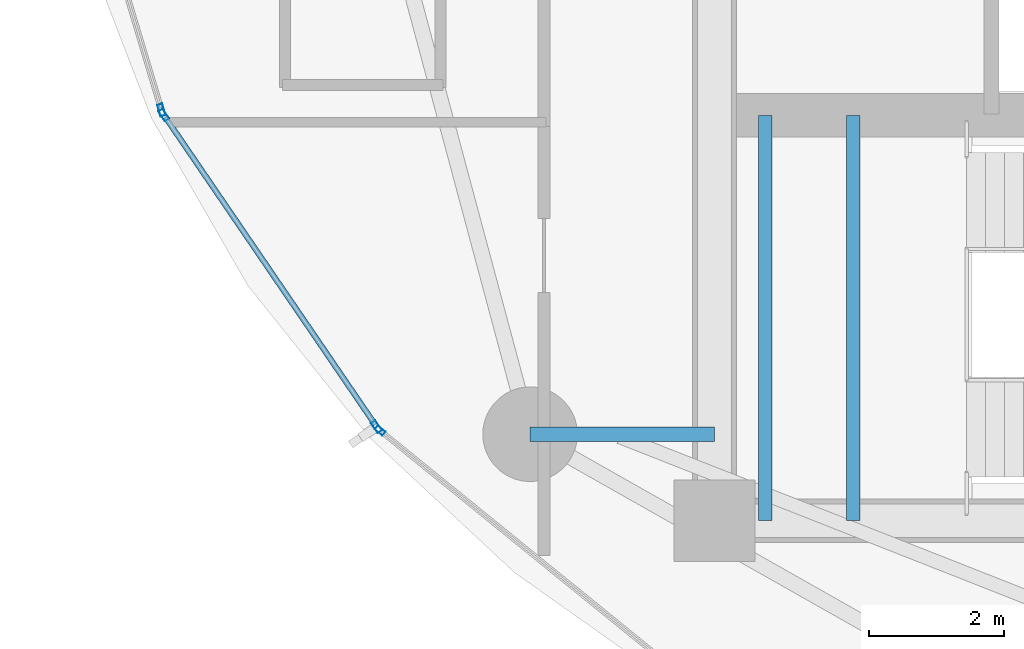
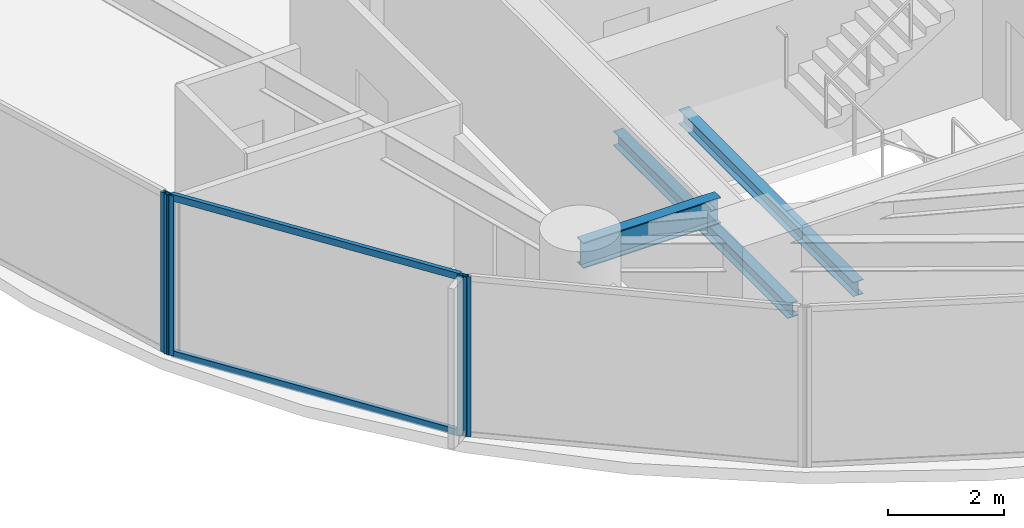
# One storey, part 3 of 30: 6 members, 3 beams, 3 elements without a shape of their own.
"""IFC4 building model written with IfcOpenShell, lengths in metres."""

from ifc_helpers import new_model, si_unit, direction, frame, origin, origin_2d, place, context, subcontext, project, spatial, hollow_rectangle, i_section, extrude, material, layer, layer_set, material_profile, profile_set, type_object, element, aggregate, save


model = new_model("IFC4")

# Units and contexts
model_context = context("Model", 3, precision=1e-05, world=origin(), true_north=direction((0.0, 1.0)))
body_context = subcontext(model_context, "Body", "Model", "MODEL_VIEW")
ifc_project = project(units=[si_unit("LENGTHUNIT", "METRE"), si_unit("AREAUNIT", "SQUARE_METRE"), si_unit("VOLUMEUNIT", "CUBIC_METRE"), si_unit("PLANEANGLEUNIT", "RADIAN"), si_unit("MASSUNIT", "GRAM", prefix="KILO")], contexts=[model_context])

# Site, building, storey
site_placement = place(None, origin())
site = spatial("IfcSite", under=ifc_project, at=site_placement, CompositionType="ELEMENT")
building_placement = place(site_placement, origin())
building = spatial("IfcBuilding", under=site, at=building_placement, Name="Kazevale Care Tower and Concert Hall", CompositionType="ELEMENT")
storey_placement = place(building_placement, frame((0.0, 0.0, 70.800048828125)))
storey = spatial("IfcBuildingStorey", under=building, at=storey_placement, Name="L18", CompositionType="ELEMENT", Elevation=70.800048828125)

# Curtain wall, members
ifc_material_1 = material(Name="Aluminium 6063-T6 and Low-E Glass", Category="aluminium")
ifc_layer_1 = layer(ifc_material_1, 0.179931640625)
ifc_layer_set_1 = layer_set([ifc_layer_1], Name="Aluminium 6063-T6 and Low-E Glass")
curtain_wall_type_1 = type_object("IfcCurtainWallType", Name="Waist & Upper Residential Curtain Wall CW-4", PredefinedType="NOTDEFINED", material=ifc_layer_set_1)
curtain_wall_1_placement = place(storey_placement, origin())
curtain_wall_1 = element("IfcCurtainWall", 1, at=curtain_wall_1_placement, inside=storey, type_object=curtain_wall_type_1, Name="cw:L18:f11", PredefinedType="NOTDEFINED")
ifc_material_2 = material(Name="Aluminium 6063-T6", Category="aluminium")
ifc_material_profile_1 = material_profile(ifc_material_2, hollow_rectangle(XDim=0.080078125, YDim=0.179931640625, WallThickness=0.0048828125, at=origin_2d()), Name="ALU80x180x5")
ifc_profile_set_1 = profile_set([ifc_material_profile_1], Name="Aluminium 6063-T6")
member_type_1 = type_object("IfcMemberType", Name="CW-4 Mullion ALU80x180x5", PredefinedType="MULLION", material=ifc_profile_set_1)
member_1_placement = place(storey_placement, frame((16.99853515625, 24.989990234375, 0.0), z_axis=(0.0, 0.0, 1.0), x_axis=(-0.826003329789, -0.563665236801, 0.0)))
member_1 = element("IfcMember", 2, at=member_1_placement, type_object=member_type_1, Name="CW-4 mullion 1", PredefinedType="MULLION", context=body_context, shape_type="SweptSolid", body=[
    extrude(hollow_rectangle(XDim=0.080078125, YDim=0.179931640625, WallThickness=0.0048828125, at=origin_2d()), origin(), (0.0, 0.0, 1.0), 3.35986328125),
])
member_2_placement = place(storey_placement, frame((13.8486328125, 29.60595703125, 0.0), z_axis=(0.0, 0.0, 1.0), x_axis=(-0.826003329789, -0.563665236801, 0.0)))
member_2 = element("IfcMember", 3, at=member_2_placement, type_object=member_type_1, Name="CW-4 mullion 2", PredefinedType="MULLION", context=body_context, shape_type="SweptSolid", body=[
    extrude(hollow_rectangle(XDim=0.080078125, YDim=0.179931640625, WallThickness=0.0048828125, at=origin_2d()), origin(), (0.0, 0.0, 1.0), 3.35986328125),
])

# Curtain wall, member
curtain_wall_2_placement = place(storey_placement, origin())
curtain_wall_2 = element("IfcCurtainWall", 4, at=curtain_wall_2_placement, inside=storey, type_object=curtain_wall_type_1, Name="cw:L18:f12", PredefinedType="NOTDEFINED")
member_3_placement = place(storey_placement, frame((13.814453125, 29.67724609375, 0.0), z_axis=(0.0, 0.0, 1.0), x_axis=(-0.957661755703, -0.287895747909, 0.0)))
member_3 = element("IfcMember", 5, at=member_3_placement, type_object=member_type_1, Name="CW-4 mullion 1", PredefinedType="MULLION", context=body_context, shape_type="SweptSolid", body=[
    extrude(hollow_rectangle(XDim=0.080078125, YDim=0.179931640625, WallThickness=0.0048828125, at=origin_2d()), origin(), (0.0, 0.0, 1.0), 3.35986328125),
])
aggregate(curtain_wall_2, [member_3])

# Member
ifc_material_profile_2 = material_profile(ifc_material_2, hollow_rectangle(XDim=0.080078125, YDim=0.139892578125, WallThickness=0.00390625, at=origin_2d()), Name="ALU80x140x4")
ifc_profile_set_2 = profile_set([ifc_material_profile_2], Name="Aluminium 6063-T6")
member_type_2 = type_object("IfcMemberType", Name="CW-4 Transom ALU80x140x4", PredefinedType="USERDEFINED", material=ifc_profile_set_2)
member_4_placement = place(storey_placement, frame((16.975830078125, 25.023193359375, 0.0400390625), z_axis=(-0.56365860987, 0.826007851972, 0.0), x_axis=(-0.826007851972, -0.56365860987, 0.0)))
member_4 = element("IfcMember", 6, at=member_4_placement, type_object=member_type_2, Name="CW-4 transom 1.1", ObjectType="TRANSOM", PredefinedType="USERDEFINED", context=body_context, shape_type="SweptSolid", body=[
    extrude(hollow_rectangle(XDim=0.080078125, YDim=0.139892578125, WallThickness=0.00390625, at=origin_2d()), origin(), (0.0, 0.0, 1.0), 5.50830078125),
])

member_5_placement = place(storey_placement, frame((16.975830078125, 25.023193359375, 3.320068359375), z_axis=(-0.56365860987, 0.826007851972, 0.0), x_axis=(-0.826007851972, -0.56365860987, 0.0)))
member_5 = element("IfcMember", 7, at=member_5_placement, type_object=member_type_2, Name="CW-4 transom 1.2", ObjectType="TRANSOM", PredefinedType="USERDEFINED", context=body_context, shape_type="SweptSolid", body=[
    extrude(hollow_rectangle(XDim=0.080078125, YDim=0.139892578125, WallThickness=0.00390625, at=origin_2d()), origin(), (0.0, 0.0, 1.0), 5.50830078125),
])

aggregate(curtain_wall_1, [member_1, member_2, member_4, member_5])

# Curtain wall, member
ifc_layer_2 = layer(ifc_material_1, 0.179931640625)
ifc_layer_set_2 = layer_set([ifc_layer_2], Name="Aluminium 6063-T6 and Low-E Glass")
curtain_wall_type_2 = type_object("IfcCurtainWallType", Name="Sheltered Concave Balcony Curtain Wall CW-5", PredefinedType="NOTDEFINED", material=ifc_layer_set_2)
curtain_wall_3_placement = place(storey_placement, origin())
curtain_wall_3 = element("IfcCurtainWall", 8, at=curtain_wall_3_placement, inside=storey, type_object=curtain_wall_type_2, Name="cw:L18:f10", PredefinedType="NOTDEFINED")
ifc_material_profile_3 = material_profile(ifc_material_2, hollow_rectangle(XDim=0.074951171875, YDim=0.14990234375, WallThickness=0.00390625, at=origin_2d()), Name="ALU75x150x4")
ifc_profile_set_3 = profile_set([ifc_material_profile_3], Name="Aluminium 6063-T6")
member_type_3 = type_object("IfcMemberType", Name="CW-5 Mullion ALU75x150x4", PredefinedType="MULLION", material=ifc_profile_set_3)
member_6_placement = place(storey_placement, frame((17.050048828125, 24.933349609375, 0.0), z_axis=(0.0, 0.0, 1.0), x_axis=(-0.629994732952, -0.77659940539, 0.0)))
member_6 = element("IfcMember", 9, at=member_6_placement, type_object=member_type_3, Name="CW-5 mullion 2", PredefinedType="MULLION", context=body_context, shape_type="SweptSolid", body=[
    extrude(hollow_rectangle(XDim=0.074951171875, YDim=0.14990234375, WallThickness=0.00390625, at=origin_2d()), origin(), (0.0, 0.0, 1.0), 3.35986328125),
])
aggregate(curtain_wall_3, [member_6])

# Beams
ifc_material_3 = material(Name="Steel ASTM A572 Gr 50", Category="steel")
ifc_material_profile_4 = material_profile(ifc_material_3, i_section(OverallWidth=0.2119140625, OverallDepth=0.5439453125, WebThickness=0.01318359375, FlangeThickness=0.021240234375, at=origin_2d()), Name="W530x123")
ifc_profile_set_4 = profile_set([ifc_material_profile_4], Name="Steel ASTM A572 Gr 50")
beam_type_1 = type_object("IfcBeamType", Name="Radial Floor Girder W530x123", PredefinedType="BEAM", material=ifc_profile_set_4)
beam_placement = place(storey_placement, frame((22.0, 24.8798828125, 3.087890625), z_axis=(-1.0, 0.0, 0.0), x_axis=(0.0, -1.0, 0.0)))
element("IfcBeam", 10, at=beam_placement, inside=storey, type_object=beam_type_1, Name="beam:L18:rad:10", PredefinedType="BEAM", context=body_context, shape_type="SweptSolid", body=[
    extrude(i_section(OverallWidth=0.2119140625, OverallDepth=0.5439453125, WebThickness=0.01318359375, FlangeThickness=0.021240234375, at=origin_2d()), origin(), (0.0, 0.0, 1.0), 2.72998046875),
])
ifc_material_profile_5 = material_profile(ifc_material_3, i_section(OverallWidth=0.202880859375, OverallDepth=0.302978515625, WebThickness=0.007568359375, FlangeThickness=0.01318359375, at=origin_2d()), Name="W310x60")
ifc_profile_set_5 = profile_set([ifc_material_profile_5], Name="Steel ASTM A572 Gr 50")
beam_type_2 = type_object("IfcBeamType", Name="Stair & Balcony Trimmer W310x60", PredefinedType="BEAM", material=ifc_profile_set_5)
for number, where, z_axis, x_axis, name in (
    (11, (22.75, 23.60009765625, 1.448486328125), (0.0, 1.0, 0.0), (-1.0, 0.0, 0.0), "beam:L18:sttrim:ST1"),
    (12, (24.050048828125, 23.60009765625, 1.448486328125), (0.0, 1.0, 0.0), (-1.0, 0.0, 0.0), "beam:L18:sttrim:ST1b"),
):
    element("IfcBeam", number, at=place(storey_placement, frame(where, z_axis=z_axis, x_axis=x_axis)), inside=storey, type_object=beam_type_2, Name=name, PredefinedType="BEAM", context=body_context, shape_type="SweptSolid", body=[
        extrude(i_section(OverallWidth=0.202880859375, OverallDepth=0.302978515625, WebThickness=0.007568359375, FlangeThickness=0.01318359375, at=origin_2d()), origin(), (0.0, 0.0, 1.0), 6.0),
    ])

save(model, "model.ifc")
